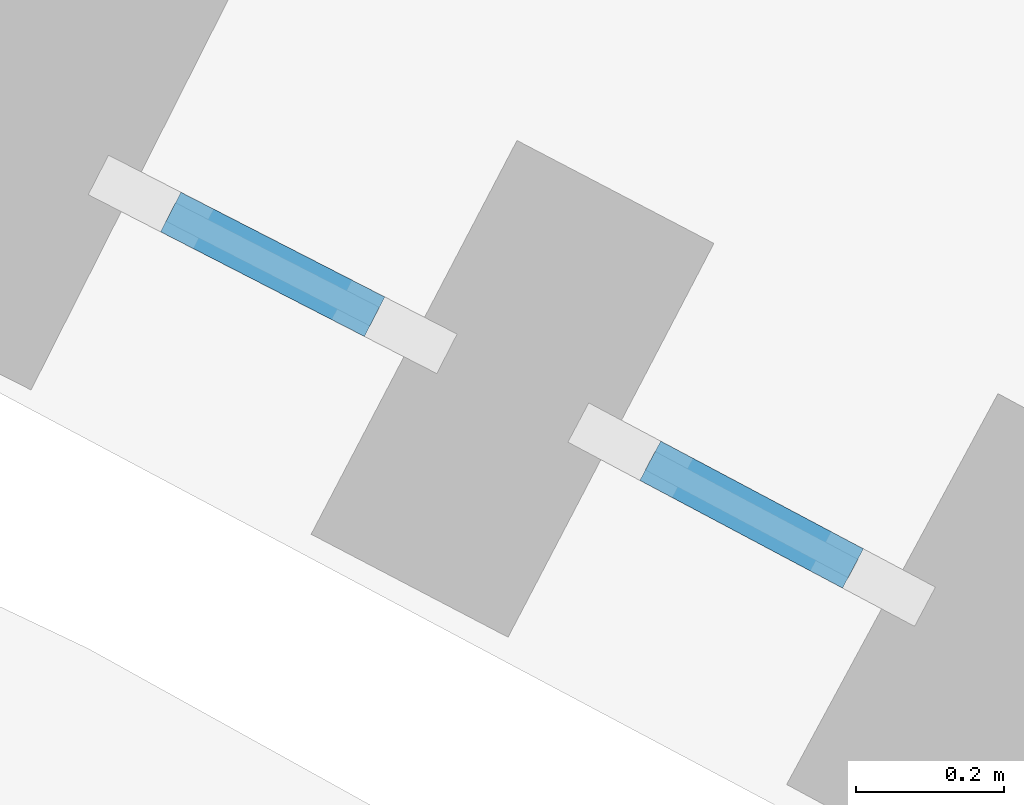
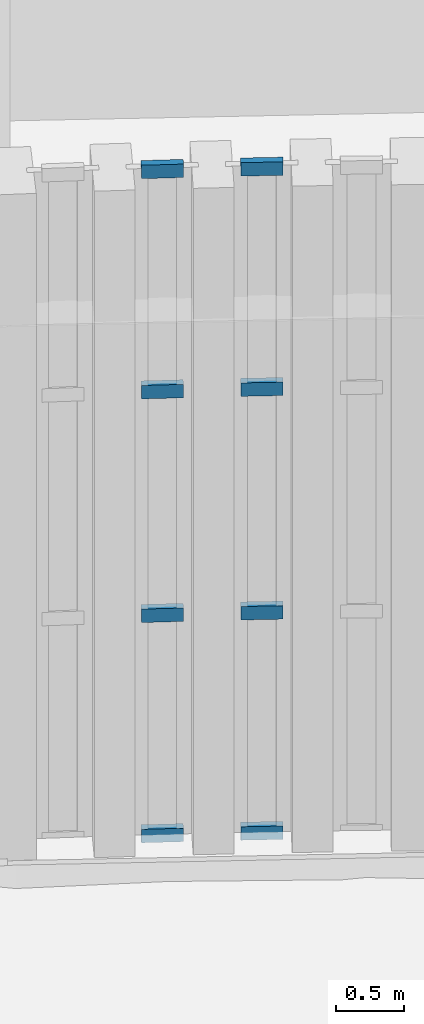
# One storey, part 70 of 155: 8 members, 2 elements without a shape of their own.
"""IFC4 building model written with IfcOpenShell, lengths in metres."""

from ifc_helpers import new_model, si_unit, direction, frame, origin, origin_2d, place, context, subcontext, project, spatial, rectangle, extrude, material, layer, layer_set, material_profile, profile_set, type_object, element, aggregate, save


model = new_model("IFC4")

# Units and contexts
model_context = context("Model", 3, precision=1e-05, world=origin(), true_north=direction((0.0, 1.0)))
body_context = subcontext(model_context, "Body", "Model", "MODEL_VIEW")
ifc_project = project(units=[si_unit("LENGTHUNIT", "METRE"), si_unit("AREAUNIT", "SQUARE_METRE"), si_unit("VOLUMEUNIT", "CUBIC_METRE"), si_unit("PLANEANGLEUNIT", "RADIAN"), si_unit("MASSUNIT", "GRAM", prefix="KILO")], contexts=[model_context])

# Site, building, storey
site_placement = place(None, origin())
site = spatial("IfcSite", under=ifc_project, at=site_placement, CompositionType="ELEMENT")
building_placement = place(site_placement, origin())
building = spatial("IfcBuilding", under=site, at=building_placement, Name="Lunette Opera House", CompositionType="ELEMENT")
storey_placement = place(building_placement, origin())
storey = spatial("IfcBuildingStorey", under=building, at=storey_placement, Name="L00", CompositionType="ELEMENT", Elevation=0.0)

# Curtain wall, members
ifc_material_1 = material(Name="Aluminium", Category="aluminium")
ifc_layer = layer(ifc_material_1, 0.1201171875)
ifc_layer_set = layer_set([ifc_layer], Name="Aluminium")
curtain_wall_type = type_object("IfcCurtainWallType", Name="SLOT CURTAIN WALL", PredefinedType="NOTDEFINED", material=ifc_layer_set)
curtain_wall_1_placement = place(storey_placement, origin())
curtain_wall_1 = element("IfcCurtainWall", 1, at=curtain_wall_1_placement, inside=storey, type_object=curtain_wall_type, Name="Slot Curtain Wall CS062 L00", PredefinedType="NOTDEFINED")
ifc_material_2 = material(Name="Aluminium", Category="aluminium")
ifc_material_profile = material_profile(ifc_material_2, rectangle(XDim=0.06005859375, YDim=0.1201171875, at=origin_2d()), Name="TRANSOM 60 X 120")
ifc_profile_set = profile_set([ifc_material_profile], Name="Aluminium")
member_type = type_object("IfcMemberType", Name="TRANSOM 60 X 120", PredefinedType="USERDEFINED", material=ifc_profile_set)
member_1_placement = place(storey_placement, frame((119.768310546875, 46.586669921875, 0.030029296875), z_axis=(0.889644962641, -0.456652866462, 0.0), x_axis=(0.456652866462, 0.889644962641, 0.0)))
member_1 = element("IfcMember", 2, at=member_1_placement, type_object=member_type, Name="FC-X2123 transom 1.1", ObjectType="TRANSOM", PredefinedType="USERDEFINED", context=body_context, shape_type="SweptSolid", body=[
    extrude(rectangle(XDim=0.06005859375, YDim=0.1201171875, at=origin_2d()), origin(), (0.0, 0.0, 1.0), 0.3095703125),
])
member_2_placement = place(storey_placement, frame((119.768310546875, 46.586669921875, 2.0), z_axis=(0.889644962641, -0.456652866462, 0.0), x_axis=(0.456652866462, 0.889644962641, 0.0)))
member_2 = element("IfcMember", 3, at=member_2_placement, type_object=member_type, Name="FC-X2123 transom 1.2", ObjectType="TRANSOM", PredefinedType="USERDEFINED", context=body_context, shape_type="SweptSolid", body=[
    extrude(rectangle(XDim=0.06005859375, YDim=0.1201171875, at=origin_2d()), origin(), (0.0, 0.0, 1.0), 0.3095703125),
])
member_3_placement = place(storey_placement, frame((119.768310546875, 46.586669921875, 4.0), z_axis=(0.889644962641, -0.456652866462, 0.0), x_axis=(0.456652866462, 0.889644962641, 0.0)))
member_3 = element("IfcMember", 4, at=member_3_placement, type_object=member_type, Name="FC-X2123 transom 1.3", ObjectType="TRANSOM", PredefinedType="USERDEFINED", context=body_context, shape_type="SweptSolid", body=[
    extrude(rectangle(XDim=0.06005859375, YDim=0.1201171875, at=origin_2d()), origin(), (0.0, 0.0, 1.0), 0.3095703125),
])
member_4_placement = place(storey_placement, frame((119.768310546875, 46.586669921875, 5.969970703125), z_axis=(0.889644962641, -0.456652866462, 0.0), x_axis=(0.456652866462, 0.889644962641, 0.0)))
member_4 = element("IfcMember", 5, at=member_4_placement, type_object=member_type, Name="FC-X2123 transom 1.4", ObjectType="TRANSOM", PredefinedType="USERDEFINED", context=body_context, shape_type="SweptSolid", body=[
    extrude(rectangle(XDim=0.06005859375, YDim=0.1201171875, at=origin_2d()), origin(), (0.0, 0.0, 1.0), 0.3095703125),
])
aggregate(curtain_wall_1, [member_1, member_2, member_3, member_4])

curtain_wall_2_placement = place(storey_placement, origin())
curtain_wall_2 = element("IfcCurtainWall", 6, at=curtain_wall_2_placement, inside=storey, type_object=curtain_wall_type, Name="Slot Curtain Wall CS063 L00", PredefinedType="NOTDEFINED")
member_5_placement = place(storey_placement, frame((120.416015625, 46.250732421875, 0.030029296875), z_axis=(0.883136100726, -0.469116859209, 0.0), x_axis=(0.469116859209, 0.883136100726, 0.0)))
member_5 = element("IfcMember", 7, at=member_5_placement, type_object=member_type, Name="FC-X2125 transom 1.1", ObjectType="TRANSOM", PredefinedType="USERDEFINED", context=body_context, shape_type="SweptSolid", body=[
    extrude(rectangle(XDim=0.06005859375, YDim=0.1201171875, at=origin_2d()), origin(), (0.0, 0.0, 1.0), 0.31005859375),
])
member_6_placement = place(storey_placement, frame((120.416015625, 46.250732421875, 2.0), z_axis=(0.883136100726, -0.469116859209, 0.0), x_axis=(0.469116859209, 0.883136100726, 0.0)))
member_6 = element("IfcMember", 8, at=member_6_placement, type_object=member_type, Name="FC-X2125 transom 1.2", ObjectType="TRANSOM", PredefinedType="USERDEFINED", context=body_context, shape_type="SweptSolid", body=[
    extrude(rectangle(XDim=0.06005859375, YDim=0.1201171875, at=origin_2d()), origin(), (0.0, 0.0, 1.0), 0.31005859375),
])
member_7_placement = place(storey_placement, frame((120.416015625, 46.250732421875, 4.0), z_axis=(0.883136100726, -0.469116859209, 0.0), x_axis=(0.469116859209, 0.883136100726, 0.0)))
member_7 = element("IfcMember", 9, at=member_7_placement, type_object=member_type, Name="FC-X2125 transom 1.3", ObjectType="TRANSOM", PredefinedType="USERDEFINED", context=body_context, shape_type="SweptSolid", body=[
    extrude(rectangle(XDim=0.06005859375, YDim=0.1201171875, at=origin_2d()), origin(), (0.0, 0.0, 1.0), 0.31005859375),
])
member_8_placement = place(storey_placement, frame((120.416015625, 46.250732421875, 5.969970703125), z_axis=(0.883136100726, -0.469116859209, 0.0), x_axis=(0.469116859209, 0.883136100726, 0.0)))
member_8 = element("IfcMember", 10, at=member_8_placement, type_object=member_type, Name="FC-X2125 transom 1.4", ObjectType="TRANSOM", PredefinedType="USERDEFINED", context=body_context, shape_type="SweptSolid", body=[
    extrude(rectangle(XDim=0.06005859375, YDim=0.1201171875, at=origin_2d()), origin(), (0.0, 0.0, 1.0), 0.31005859375),
])
aggregate(curtain_wall_2, [member_5, member_6, member_7, member_8])

save(model, "model.ifc")
